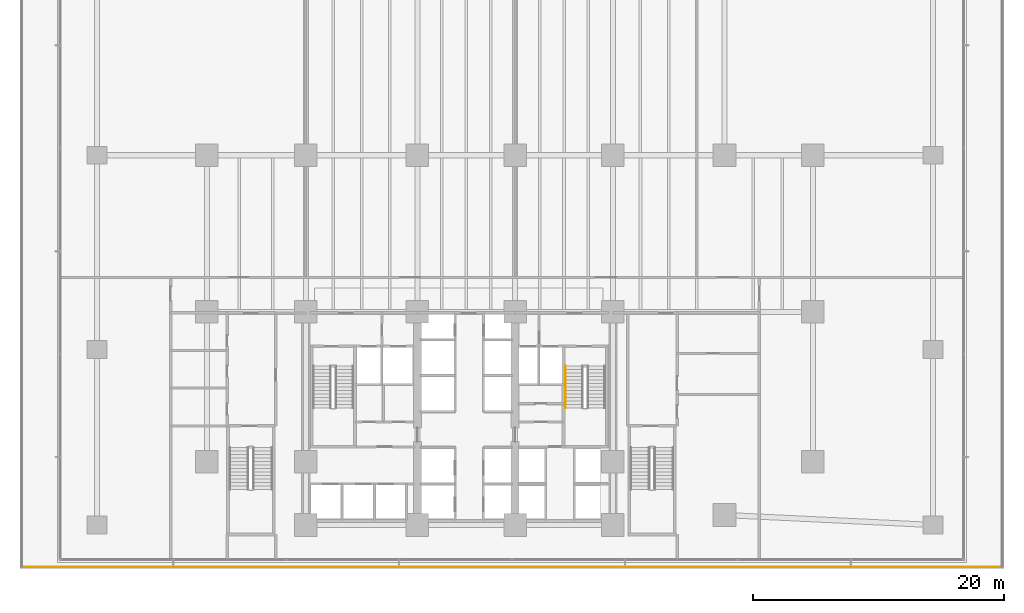
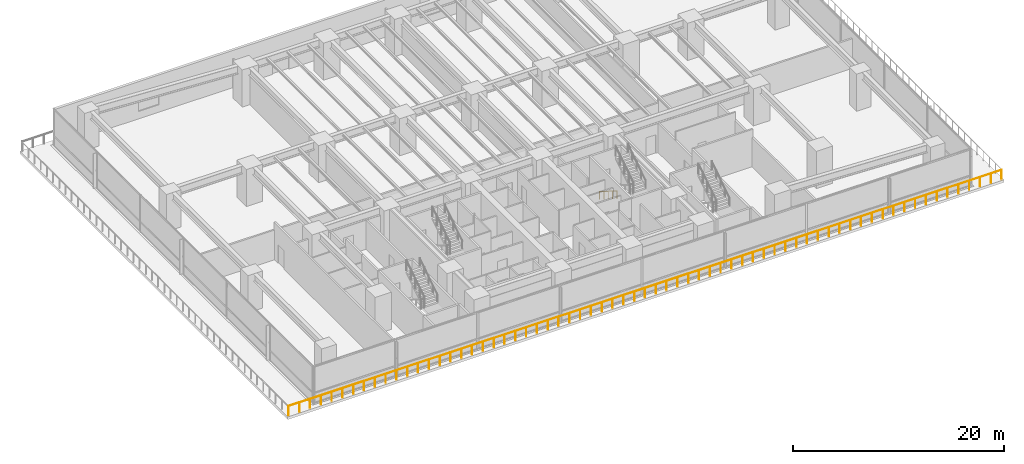
# One storey, part 22 of 28: 2 railings.
"""IFC4 building model written with IfcOpenShell, lengths in metres."""

from ifc_helpers import new_model, si_unit, direction, frame, origin, origin_2d, place, context, subcontext, project, spatial, circle, extrude, material, type_object, element, save


model = new_model("IFC4")

# Units and contexts
model_context = context("Model", 3, precision=1e-05, world=origin(), true_north=direction((0.0, 1.0)))
body_context = subcontext(model_context, "Body", "Model", "MODEL_VIEW")
ifc_project = project(units=[si_unit("LENGTHUNIT", "METRE"), si_unit("AREAUNIT", "SQUARE_METRE"), si_unit("VOLUMEUNIT", "CUBIC_METRE"), si_unit("PLANEANGLEUNIT", "RADIAN"), si_unit("MASSUNIT", "GRAM", prefix="KILO")], contexts=[model_context])

# Site, building, storey
site_placement = place(None, origin())
site = spatial("IfcSite", under=ifc_project, at=site_placement, CompositionType="ELEMENT")
building_placement = place(site_placement, origin())
building = spatial("IfcBuilding", under=site, at=building_placement, Name="Qalmaran Belvedere Hotel", CompositionType="ELEMENT")
storey_placement = place(building_placement, frame((0.0, 0.0, 10.0)))
storey = spatial("IfcBuildingStorey", under=building, at=storey_placement, Name="L02", CompositionType="ELEMENT", Elevation=10.0)

# Railings
ifc_material_1 = material(Name="Anodised Bronze Aluminium", Category="aluminium")
railing_type_1 = type_object("IfcRailingType", Name="GRD-TERR-1150", PredefinedType="BALUSTRADE", material=ifc_material_1)
railing_1_placement = place(storey_placement, frame((-2.324951171875, 0.139892578125, 0.0)))
element("IfcRailing", 1, at=railing_1_placement, inside=storey, type_object=railing_type_1, Name="L02 Guardrail L02-TERR-1", PredefinedType="BALUSTRADE", context=body_context, shape_type="SweptSolid", body=[
    extrude(circle(Radius=0.02392578125, at=origin_2d()), frame((0.0, 0.0, 1.1259765625), z_axis=(1.0, 0.0, 0.0), x_axis=(0.0, 1.0, 0.0)), (0.0, 0.0, 1.0), 78.14990234375),
    extrude(circle(Radius=0.02099609375, at=origin_2d()), origin(), (0.0, 0.0, 1.0), 1.101806640625),
    extrude(circle(Radius=0.02099609375, at=origin_2d()), frame((1.18408203125, 0.0, 0.0)), (0.0, 0.0, 1.0), 1.101806640625),
    extrude(circle(Radius=0.02099609375, at=origin_2d()), frame((2.3681640625, 0.0, 0.0)), (0.0, 0.0, 1.0), 1.101806640625),
    extrude(circle(Radius=0.02099609375, at=origin_2d()), frame((3.55224609375, 0.0, 0.0)), (0.0, 0.0, 1.0), 1.101806640625),
    extrude(circle(Radius=0.02099609375, at=origin_2d()), frame((4.736328125, 0.0, 0.0)), (0.0, 0.0, 1.0), 1.101806640625),
    extrude(circle(Radius=0.02099609375, at=origin_2d()), frame((5.92041015625, 0.0, 0.0)), (0.0, 0.0, 1.0), 1.101806640625),
    extrude(circle(Radius=0.02099609375, at=origin_2d()), frame((7.1044921875, 0.0, 0.0)), (0.0, 0.0, 1.0), 1.101806640625),
    extrude(circle(Radius=0.02099609375, at=origin_2d()), frame((8.28857421875, 0.0, 0.0)), (0.0, 0.0, 1.0), 1.101806640625),
    extrude(circle(Radius=0.02099609375, at=origin_2d()), frame((9.47265625, 0.0, 0.0)), (0.0, 0.0, 1.0), 1.101806640625),
    extrude(circle(Radius=0.02099609375, at=origin_2d()), frame((10.65673828125, 0.0, 0.0)), (0.0, 0.0, 1.0), 1.101806640625),
    extrude(circle(Radius=0.02099609375, at=origin_2d()), frame((11.8408203125, 0.0, 0.0)), (0.0, 0.0, 1.0), 1.101806640625),
    extrude(circle(Radius=0.02099609375, at=origin_2d()), frame((13.02490234375, 0.0, 0.0)), (0.0, 0.0, 1.0), 1.101806640625),
    extrude(circle(Radius=0.02099609375, at=origin_2d()), frame((14.208984375, 0.0, 0.0)), (0.0, 0.0, 1.0), 1.101806640625),
    extrude(circle(Radius=0.02099609375, at=origin_2d()), frame((15.39306640625, 0.0, 0.0)), (0.0, 0.0, 1.0), 1.101806640625),
    extrude(circle(Radius=0.02099609375, at=origin_2d()), frame((16.5771484375, 0.0, 0.0)), (0.0, 0.0, 1.0), 1.101806640625),
    extrude(circle(Radius=0.02099609375, at=origin_2d()), frame((17.76123046875, 0.0, 0.0)), (0.0, 0.0, 1.0), 1.101806640625),
    extrude(circle(Radius=0.02099609375, at=origin_2d()), frame((18.9453125, 0.0, 0.0)), (0.0, 0.0, 1.0), 1.101806640625),
    extrude(circle(Radius=0.02099609375, at=origin_2d()), frame((20.129638671875, 0.0, 0.0)), (0.0, 0.0, 1.0), 1.101806640625),
    extrude(circle(Radius=0.02099609375, at=origin_2d()), frame((21.313720703125, 0.0, 0.0)), (0.0, 0.0, 1.0), 1.101806640625),
    extrude(circle(Radius=0.02099609375, at=origin_2d()), frame((22.497802734375, 0.0, 0.0)), (0.0, 0.0, 1.0), 1.101806640625),
    extrude(circle(Radius=0.02099609375, at=origin_2d()), frame((23.681884765625, 0.0, 0.0)), (0.0, 0.0, 1.0), 1.101806640625),
    extrude(circle(Radius=0.02099609375, at=origin_2d()), frame((24.865966796875, 0.0, 0.0)), (0.0, 0.0, 1.0), 1.101806640625),
    extrude(circle(Radius=0.02099609375, at=origin_2d()), frame((26.050048828125, 0.0, 0.0)), (0.0, 0.0, 1.0), 1.101806640625),
    extrude(circle(Radius=0.02099609375, at=origin_2d()), frame((27.234130859375, 0.0, 0.0)), (0.0, 0.0, 1.0), 1.101806640625),
    extrude(circle(Radius=0.02099609375, at=origin_2d()), frame((28.418212890625, 0.0, 0.0)), (0.0, 0.0, 1.0), 1.101806640625),
    extrude(circle(Radius=0.02099609375, at=origin_2d()), frame((29.602294921875, 0.0, 0.0)), (0.0, 0.0, 1.0), 1.101806640625),
    extrude(circle(Radius=0.02099609375, at=origin_2d()), frame((30.786376953125, 0.0, 0.0)), (0.0, 0.0, 1.0), 1.101806640625),
    extrude(circle(Radius=0.02099609375, at=origin_2d()), frame((31.970458984375, 0.0, 0.0)), (0.0, 0.0, 1.0), 1.101806640625),
    extrude(circle(Radius=0.02099609375, at=origin_2d()), frame((33.154541015625, 0.0, 0.0)), (0.0, 0.0, 1.0), 1.101806640625),
    extrude(circle(Radius=0.02099609375, at=origin_2d()), frame((34.338623046875, 0.0, 0.0)), (0.0, 0.0, 1.0), 1.101806640625),
    extrude(circle(Radius=0.02099609375, at=origin_2d()), frame((35.522705078125, 0.0, 0.0)), (0.0, 0.0, 1.0), 1.101806640625),
    extrude(circle(Radius=0.02099609375, at=origin_2d()), frame((36.706787109375, 0.0, 0.0)), (0.0, 0.0, 1.0), 1.101806640625),
    extrude(circle(Radius=0.02099609375, at=origin_2d()), frame((37.890869140625, 0.0, 0.0)), (0.0, 0.0, 1.0), 1.101806640625),
    extrude(circle(Radius=0.02099609375, at=origin_2d()), frame((39.074951171875, 0.0, 0.0)), (0.0, 0.0, 1.0), 1.101806640625),
    extrude(circle(Radius=0.02099609375, at=origin_2d()), frame((40.259033203125, 0.0, 0.0)), (0.0, 0.0, 1.0), 1.101806640625),
    extrude(circle(Radius=0.02099609375, at=origin_2d()), frame((41.443115234375, 0.0, 0.0)), (0.0, 0.0, 1.0), 1.101806640625),
    extrude(circle(Radius=0.02099609375, at=origin_2d()), frame((42.627197265625, 0.0, 0.0)), (0.0, 0.0, 1.0), 1.101806640625),
    extrude(circle(Radius=0.02099609375, at=origin_2d()), frame((43.811279296875, 0.0, 0.0)), (0.0, 0.0, 1.0), 1.101806640625),
    extrude(circle(Radius=0.02099609375, at=origin_2d()), frame((44.995361328125, 0.0, 0.0)), (0.0, 0.0, 1.0), 1.101806640625),
    extrude(circle(Radius=0.02099609375, at=origin_2d()), frame((46.179443359375, 0.0, 0.0)), (0.0, 0.0, 1.0), 1.101806640625),
    extrude(circle(Radius=0.02099609375, at=origin_2d()), frame((47.363525390625, 0.0, 0.0)), (0.0, 0.0, 1.0), 1.101806640625),
    extrude(circle(Radius=0.02099609375, at=origin_2d()), frame((48.547607421875, 0.0, 0.0)), (0.0, 0.0, 1.0), 1.101806640625),
    extrude(circle(Radius=0.02099609375, at=origin_2d()), frame((49.731689453125, 0.0, 0.0)), (0.0, 0.0, 1.0), 1.101806640625),
    extrude(circle(Radius=0.02099609375, at=origin_2d()), frame((50.915771484375, 0.0, 0.0)), (0.0, 0.0, 1.0), 1.101806640625),
    extrude(circle(Radius=0.02099609375, at=origin_2d()), frame((52.099853515625, 0.0, 0.0)), (0.0, 0.0, 1.0), 1.101806640625),
    extrude(circle(Radius=0.02099609375, at=origin_2d()), frame((53.283935546875, 0.0, 0.0)), (0.0, 0.0, 1.0), 1.101806640625),
    extrude(circle(Radius=0.02099609375, at=origin_2d()), frame((54.468017578125, 0.0, 0.0)), (0.0, 0.0, 1.0), 1.101806640625),
    extrude(circle(Radius=0.02099609375, at=origin_2d()), frame((55.652099609375, 0.0, 0.0)), (0.0, 0.0, 1.0), 1.101806640625),
    extrude(circle(Radius=0.02099609375, at=origin_2d()), frame((56.836181640625, 0.0, 0.0)), (0.0, 0.0, 1.0), 1.101806640625),
    extrude(circle(Radius=0.02099609375, at=origin_2d()), frame((58.020263671875, 0.0, 0.0)), (0.0, 0.0, 1.0), 1.101806640625),
    extrude(circle(Radius=0.02099609375, at=origin_2d()), frame((59.20458984375, 0.0, 0.0)), (0.0, 0.0, 1.0), 1.101806640625),
    extrude(circle(Radius=0.02099609375, at=origin_2d()), frame((60.388671875, 0.0, 0.0)), (0.0, 0.0, 1.0), 1.101806640625),
    extrude(circle(Radius=0.02099609375, at=origin_2d()), frame((61.57275390625, 0.0, 0.0)), (0.0, 0.0, 1.0), 1.101806640625),
    extrude(circle(Radius=0.02099609375, at=origin_2d()), frame((62.7568359375, 0.0, 0.0)), (0.0, 0.0, 1.0), 1.101806640625),
    extrude(circle(Radius=0.02099609375, at=origin_2d()), frame((63.94091796875, 0.0, 0.0)), (0.0, 0.0, 1.0), 1.101806640625),
    extrude(circle(Radius=0.02099609375, at=origin_2d()), frame((65.125, 0.0, 0.0)), (0.0, 0.0, 1.0), 1.101806640625),
    extrude(circle(Radius=0.02099609375, at=origin_2d()), frame((66.30908203125, 0.0, 0.0)), (0.0, 0.0, 1.0), 1.101806640625),
    extrude(circle(Radius=0.02099609375, at=origin_2d()), frame((67.4931640625, 0.0, 0.0)), (0.0, 0.0, 1.0), 1.101806640625),
    extrude(circle(Radius=0.02099609375, at=origin_2d()), frame((68.67724609375, 0.0, 0.0)), (0.0, 0.0, 1.0), 1.101806640625),
    extrude(circle(Radius=0.02099609375, at=origin_2d()), frame((69.861328125, 0.0, 0.0)), (0.0, 0.0, 1.0), 1.101806640625),
    extrude(circle(Radius=0.02099609375, at=origin_2d()), frame((71.04541015625, 0.0, 0.0)), (0.0, 0.0, 1.0), 1.101806640625),
    extrude(circle(Radius=0.02099609375, at=origin_2d()), frame((72.2294921875, 0.0, 0.0)), (0.0, 0.0, 1.0), 1.101806640625),
    extrude(circle(Radius=0.02099609375, at=origin_2d()), frame((73.41357421875, 0.0, 0.0)), (0.0, 0.0, 1.0), 1.101806640625),
    extrude(circle(Radius=0.02099609375, at=origin_2d()), frame((74.59765625, 0.0, 0.0)), (0.0, 0.0, 1.0), 1.101806640625),
    extrude(circle(Radius=0.02099609375, at=origin_2d()), frame((75.78173828125, 0.0, 0.0)), (0.0, 0.0, 1.0), 1.101806640625),
    extrude(circle(Radius=0.02099609375, at=origin_2d()), frame((76.9658203125, 0.0, 0.0)), (0.0, 0.0, 1.0), 1.101806640625),
    extrude(circle(Radius=0.02099609375, at=origin_2d()), frame((78.14990234375, 0.0, 0.0)), (0.0, 0.0, 1.0), 1.101806640625),
])
ifc_material_2 = material(Name="Stainless Steel 1.4401", Category="steel")
railing_type_2 = type_object("IfcRailingType", Name="RLG-STAIR-HAND-910", PredefinedType="HANDRAIL", material=ifc_material_2)
railing_2_placement = place(storey_placement, frame((41.010009765625, 16.18994140625, 0.177001953125)))
element("IfcRailing", 2, at=railing_2_placement, inside=storey, type_object=railing_type_2, Name="L02 ST-2 stair handrail 1", PredefinedType="HANDRAIL", context=body_context, shape_type="SweptSolid", body=[
    extrude(circle(Radius=0.02392578125, at=origin_2d()), frame((0.0, 0.0, 0.8857421875), z_axis=(0.0, -0.845372108799, 0.534177870812), x_axis=(1.0, 0.0, 0.0)), (0.0, 0.0, 1.0), 3.974365234375),
    extrude(circle(Radius=0.02099609375, at=origin_2d()), origin(), (0.0, 0.0, 1.0), 0.86181640625),
    extrude(circle(Radius=0.02099609375, at=origin_2d()), frame((0.0, -0.83984375, 0.53076171875)), (0.0, 0.0, 1.0), 0.86181640625),
    extrude(circle(Radius=0.02099609375, at=origin_2d()), frame((0.0, -1.679931640625, 1.0615234375)), (0.0, 0.0, 1.0), 0.86181640625),
    extrude(circle(Radius=0.02099609375, at=origin_2d()), frame((0.0, -2.52001953125, 1.59228515625)), (0.0, 0.0, 1.0), 0.86181640625),
    extrude(circle(Radius=0.02099609375, at=origin_2d()), frame((0.0, -3.35986328125, 2.123046875)), (0.0, 0.0, 1.0), 0.86181640625),
])

save(model, "model.ifc")
